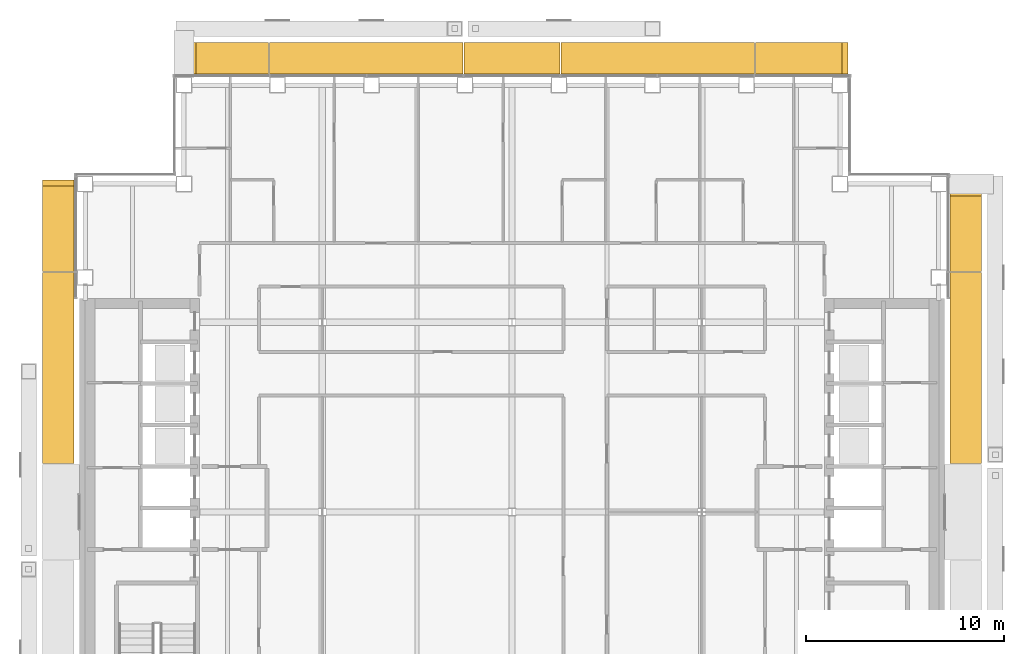
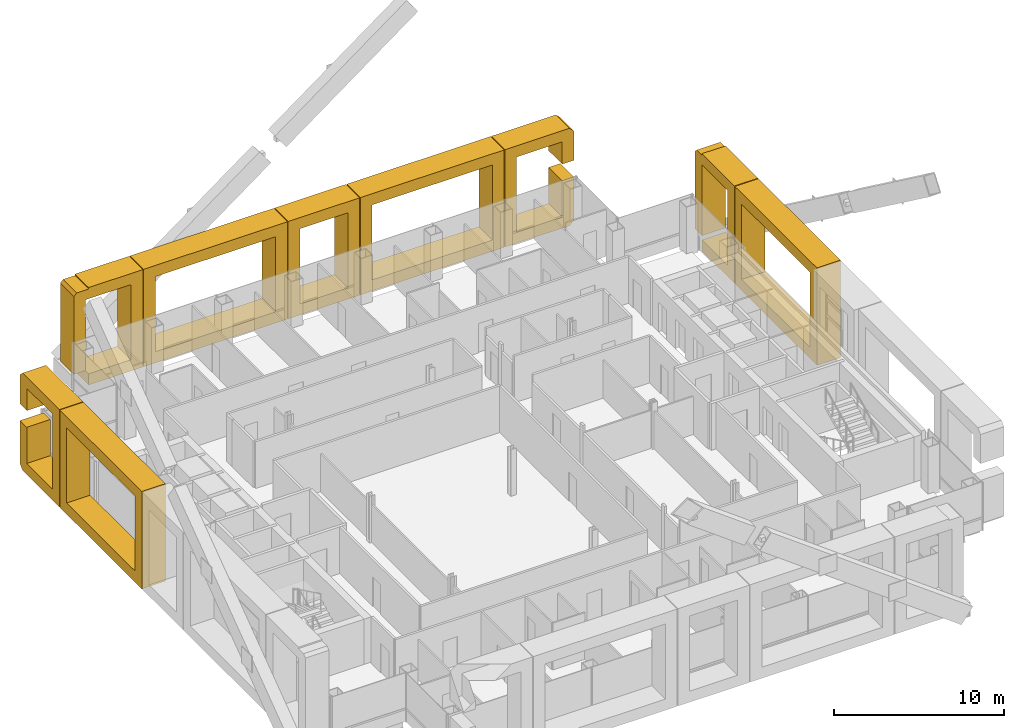
# One storey, part 21 of 22: 9 coverings.
"""IFC4 building model written with IfcOpenShell, lengths in metres."""

from ifc_helpers import new_model, si_unit, direction, frame, origin, place, context, subcontext, project, spatial, polyline, outline, extrude, material, type_object, element, save


model = new_model("IFC4")

# Units and contexts
model_context = context("Model", 3, precision=1e-05, world=origin(), true_north=direction((0.0, 1.0)))
body_context = subcontext(model_context, "Body", "Model", "MODEL_VIEW")
ifc_project = project(units=[si_unit("LENGTHUNIT", "METRE"), si_unit("AREAUNIT", "SQUARE_METRE"), si_unit("VOLUMEUNIT", "CUBIC_METRE"), si_unit("PLANEANGLEUNIT", "RADIAN"), si_unit("MASSUNIT", "GRAM", prefix="KILO")], contexts=[model_context])

# Site, building, storey
site_placement = place(None, origin())
site = spatial("IfcSite", under=ifc_project, at=site_placement, CompositionType="ELEMENT")
building_placement = place(site_placement, origin())
building = spatial("IfcBuilding", under=site, at=building_placement, Name="Cobrizo Arcos Hotel Tower", CompositionType="ELEMENT")
storey_placement = place(building_placement, frame((0.0, 0.0, 155.0)))
storey = spatial("IfcBuildingStorey", under=building, at=storey_placement, Name="L39", CompositionType="ELEMENT", Elevation=155.0)

# Coverings
ifc_material = material(Name="Aluminium 6063-T6 anodised bronze", Category="aluminium")
covering_type = type_object("IfcCoveringType", Name="FIN-F 1600", PredefinedType="CLADDING", material=ifc_material)
covering_1_placement = place(storey_placement, frame((17.0, 22.14990234375, 0.0), z_axis=(0.0, 1.0, 0.0), x_axis=(-1.0, 0.0, 0.0)))
element("IfcCovering", 1, at=covering_1_placement, inside=storey, type_object=covering_type, Name="Fin frame 176", PredefinedType="CLADDING", context=body_context, shape_type="SweptSolid", body=[
    extrude(outline(polyline([(0.0, 6.699951171875), (0.0, 4.60205078125), (0.800048828125, 4.60205078125), (0.800048828125, 6.199951171875), (3.889404296875, 6.199951171875), (3.889404296875, 0.800048828125), (0.800048828125, 0.800048828125), (0.800048828125, 3.39794921875), (0.0, 3.39794921875), (0.0, 0.300048828125), (0.300048828125, 0.0), (4.689208984375, 0.0), (4.689208984375, 7.0), (0.300048828125, 7.0), (0.0, 6.699951171875)])), origin(), (0.0, 0.0, 1.0), 1.60009765625),
])
covering_2_placement = place(storey_placement, frame((12.2607421875, 22.14990234375, 0.0), z_axis=(0.0, 1.0, 0.0), x_axis=(-1.0, 0.0, 0.0)))
element("IfcCovering", 2, at=covering_2_placement, inside=storey, type_object=covering_type, Name="Fin frame 177", PredefinedType="CLADDING", context=body_context, shape_type="SweptSolid", body=[
    extrude(outline(polyline([(0.0, 7.0), (0.0, 0.0), (9.778564453125, 0.0), (9.778564453125, 7.0), (0.0, 7.0)]), holes=[polyline([(8.978515625, 0.800048828125), (0.800048828125, 0.800048828125), (0.800048828125, 6.199951171875), (8.978515625, 6.199951171875), (8.978515625, 0.800048828125)])]), origin(), (0.0, 0.0, 1.0), 1.60009765625),
])
covering_3_placement = place(storey_placement, frame((2.43212890625, 22.14990234375, 0.0), z_axis=(0.0, 1.0, 0.0), x_axis=(-1.0, 0.0, 0.0)))
element("IfcCovering", 3, at=covering_3_placement, inside=storey, type_object=covering_type, Name="Fin frame 178", PredefinedType="CLADDING", context=body_context, shape_type="SweptSolid", body=[
    extrude(outline(polyline([(0.0, 7.0), (0.0, 0.0), (4.8642578125, 0.0), (4.8642578125, 7.0), (0.0, 7.0)]), holes=[polyline([(4.064208984375, 0.800048828125), (0.800048828125, 0.800048828125), (0.800048828125, 6.199951171875), (4.064208984375, 6.199951171875), (4.064208984375, 0.800048828125)])]), origin(), (0.0, 0.0, 1.0), 1.60009765625),
])
covering_4_placement = place(storey_placement, frame((-2.482177734375, 22.14990234375, 0.0), z_axis=(0.0, 1.0, 0.0), x_axis=(-1.0, 0.0, 0.0)))
element("IfcCovering", 4, at=covering_4_placement, inside=storey, type_object=covering_type, Name="Fin frame 179", PredefinedType="CLADDING", context=body_context, shape_type="SweptSolid", body=[
    extrude(outline(polyline([(0.0, 7.0), (0.0, 0.0), (9.778564453125, 0.0), (9.778564453125, 7.0), (0.0, 7.0)]), holes=[polyline([(8.978515625, 0.800048828125), (0.800048828125, 0.800048828125), (0.800048828125, 6.199951171875), (8.978515625, 6.199951171875), (8.978515625, 0.800048828125)])]), origin(), (0.0, 0.0, 1.0), 1.60009765625),
])
covering_5_placement = place(storey_placement, frame((-12.310791015625, 22.14990234375, 0.0), z_axis=(0.0, 1.0, 0.0), x_axis=(-1.0, 0.0, 0.0)))
element("IfcCovering", 5, at=covering_5_placement, inside=storey, type_object=covering_type, Name="Fin frame 180", PredefinedType="CLADDING", context=body_context, shape_type="SweptSolid", body=[
    extrude(outline(polyline([(0.0, 0.0), (3.687255859375, 0.0), (3.687255859375, 0.800048828125), (0.800048828125, 0.800048828125), (0.800048828125, 6.199951171875), (3.889404296875, 6.199951171875), (3.889404296875, 1.10205078125), (4.689208984375, 1.10205078125), (4.689208984375, 6.699951171875), (4.4912109375, 6.89794921875), (3.687255859375, 6.89794921875), (3.687255859375, 7.0), (0.0, 7.0), (0.0, 0.0)])), origin(), (0.0, 0.0, 1.0), 1.60009765625),
])
covering_6_placement = place(storey_placement, frame((22.14990234375, 2.45361328125, 0.0), z_axis=(1.0, 0.0, 0.0), x_axis=(0.0, 1.0, 0.0)))
element("IfcCovering", 6, at=covering_6_placement, inside=storey, type_object=covering_type, Name="Fin frame 209", PredefinedType="CLADDING", context=body_context, shape_type="SweptSolid", body=[
    extrude(outline(polyline([(0.0, 7.0), (0.0, 0.0), (9.664306640625, 0.0), (9.664306640625, 7.0), (0.0, 7.0)]), holes=[polyline([(8.8642578125, 0.800048828125), (0.800048828125, 0.800048828125), (0.800048828125, 6.199951171875), (8.8642578125, 6.199951171875), (8.8642578125, 0.800048828125)])]), origin(), (0.0, 0.0, 1.0), 1.60009765625),
])
covering_7_placement = place(storey_placement, frame((22.14990234375, 12.16796875, 0.0), z_axis=(1.0, 0.0, 0.0), x_axis=(0.0, 1.0, 0.0)))
element("IfcCovering", 7, at=covering_7_placement, inside=storey, type_object=covering_type, Name="Fin frame 210", PredefinedType="CLADDING", context=body_context, shape_type="SweptSolid", body=[
    extrude(outline(polyline([(0.0, 0.0), (3.830078125, 0.0), (3.830078125, 0.800048828125), (0.800048828125, 0.800048828125), (0.800048828125, 6.199951171875), (3.83203125, 6.199951171875), (3.83203125, 1.10205078125), (4.632080078125, 1.10205078125), (4.632080078125, 6.699951171875), (4.43408203125, 6.89794921875), (3.830078125, 6.89794921875), (3.830078125, 7.0), (0.0, 7.0), (0.0, 0.0)])), origin(), (0.0, 0.0, 1.0), 1.60009765625),
])
covering_8_placement = place(storey_placement, frame((-22.14990234375, 16.800048828125, 0.0), z_axis=(-1.0, 0.0, 0.0), x_axis=(0.0, -1.0, 0.0)))
element("IfcCovering", 8, at=covering_8_placement, inside=storey, type_object=covering_type, Name="Fin frame 266", PredefinedType="CLADDING", context=body_context, shape_type="SweptSolid", body=[
    extrude(outline(polyline([(0.0, 6.699951171875), (0.0, 4.60205078125), (0.800048828125, 4.60205078125), (0.800048828125, 6.199951171875), (3.83203125, 6.199951171875), (3.83203125, 0.800048828125), (0.800048828125, 0.800048828125), (0.800048828125, 3.39794921875), (0.0, 3.39794921875), (0.0, 0.300048828125), (0.300048828125, 0.0), (4.632080078125, 0.0), (4.632080078125, 7.0), (0.300048828125, 7.0), (0.0, 6.699951171875)])), origin(), (0.0, 0.0, 1.0), 1.60009765625),
])
covering_9_placement = place(storey_placement, frame((-22.14990234375, 12.117919921875, 0.0), z_axis=(-1.0, 0.0, 0.0), x_axis=(0.0, -1.0, 0.0)))
element("IfcCovering", 9, at=covering_9_placement, inside=storey, type_object=covering_type, Name="Fin frame 267", PredefinedType="CLADDING", context=body_context, shape_type="SweptSolid", body=[
    extrude(outline(polyline([(0.0, 7.0), (0.0, 0.0), (9.664306640625, 0.0), (9.664306640625, 7.0), (0.0, 7.0)]), holes=[polyline([(8.8642578125, 0.800048828125), (0.800048828125, 0.800048828125), (0.800048828125, 6.199951171875), (8.8642578125, 6.199951171875), (8.8642578125, 0.800048828125)])]), origin(), (0.0, 0.0, 1.0), 1.60009765625),
])

save(model, "model.ifc")
